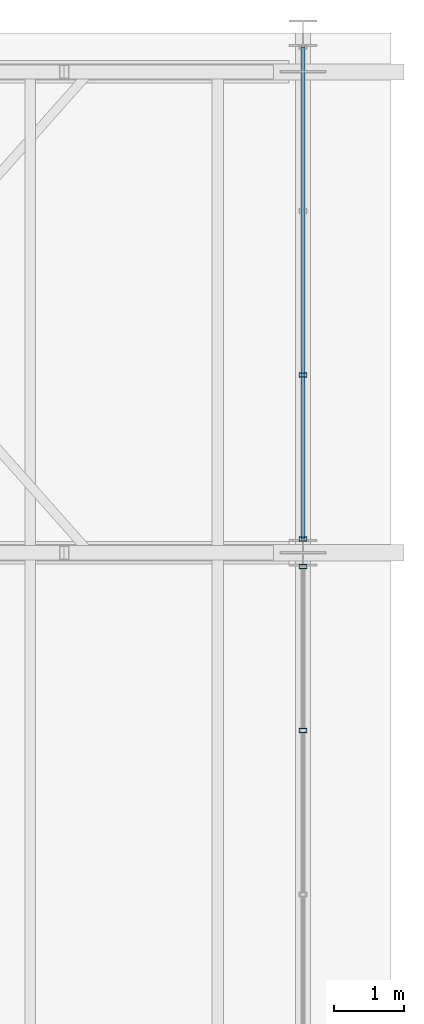
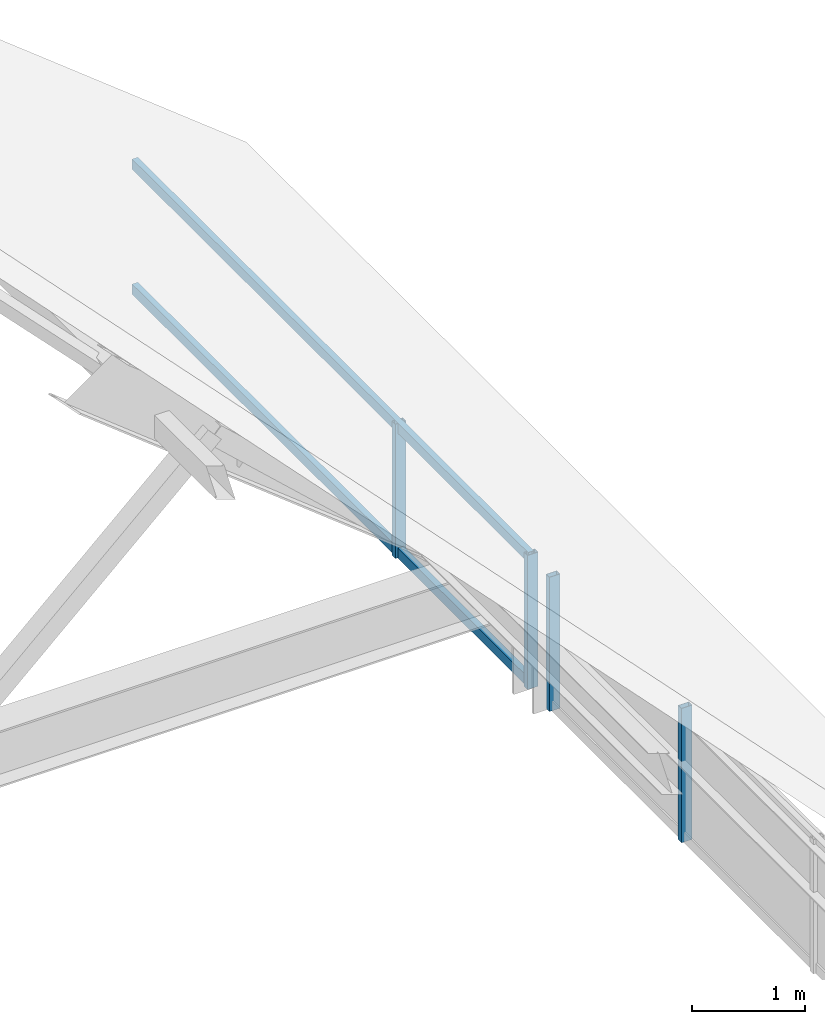
# One storey, part 38 of 44: 6 members, 2 elements without a shape of their own.
"""IFC4 building model written with IfcOpenShell, lengths in metres."""

from ifc_helpers import new_model, si_unit, direction, frame, origin, origin_2d, place, context, subcontext, project, spatial, hollow_rectangle, extrude, material, material_profile, profile_set, type_object, element, aggregate, save


model = new_model("IFC4")

# Units and contexts
model_context = context("Model", 3, precision=1e-05, world=origin(), true_north=direction((0.0, 1.0)))
body_context = subcontext(model_context, "Body", "Model", "MODEL_VIEW")
ifc_project = project(units=[si_unit("LENGTHUNIT", "METRE"), si_unit("AREAUNIT", "SQUARE_METRE"), si_unit("VOLUMEUNIT", "CUBIC_METRE"), si_unit("PLANEANGLEUNIT", "RADIAN"), si_unit("MASSUNIT", "GRAM", prefix="KILO")], contexts=[model_context])

# Site, building, storey
site_placement = place(None, origin())
site = spatial("IfcSite", under=ifc_project, at=site_placement, CompositionType="ELEMENT")
building_placement = place(site_placement, origin())
building = spatial("IfcBuilding", under=site, at=building_placement, Name="Cimatlan Art Gallery", CompositionType="ELEMENT")
storey_placement = place(building_placement, frame((0.0, 0.0, 26.39990234375)))
storey = spatial("IfcBuildingStorey", under=building, at=storey_placement, Name="Roof", CompositionType="ELEMENT", Elevation=26.39990234375)

# Curtain wall, members
ifc_material_1 = material(Name="Anodised bronze unitised curtain wall")
curtain_wall_type = type_object("IfcCurtainWallType", Name="CW-V-07010X01450-B3", PredefinedType="NOTDEFINED", material=ifc_material_1)
curtain_wall_1_placement = place(storey_placement, origin())
curtain_wall_1 = element("IfcCurtainWall", 1, at=curtain_wall_1_placement, inside=storey, type_object=curtain_wall_type, Name="CW-CRW-E-09", PredefinedType="NOTDEFINED")
ifc_material_2 = material(Name="Anodised bronze aluminium 6063-T6", Category="aluminium")
ifc_material_profile_1 = material_profile(ifc_material_2, hollow_rectangle(XDim=0.06005859375, YDim=0.110107421875, WallThickness=0.00341796875, at=origin_2d()), Name="ALU60X110X3")
ifc_profile_set_1 = profile_set([ifc_material_profile_1], Name="Anodised bronze aluminium 6063-T6")
member_type_1 = type_object("IfcMemberType", Name="CW-MUL-110", PredefinedType="MULLION", material=ifc_profile_set_1)
member_1_placement = place(storey_placement, frame((99.199951171875, 75.5048828125, 0.0), z_axis=(0.0, 0.0, 1.0), x_axis=(0.0, 1.0, 0.0)))
member_1 = element("IfcMember", 2, at=member_1_placement, type_object=member_type_1, Name="CW-CRW-E-09-M1", PredefinedType="MULLION", context=body_context, shape_type="SweptSolid", body=[
    extrude(hollow_rectangle(XDim=0.06005859375, YDim=0.110107421875, WallThickness=0.00341796875, at=origin_2d()), origin(), (0.0, 0.0, 1.0), 1.4501953125),
])
member_2_placement = place(storey_placement, frame((99.199951171875, 73.168212890625, 0.0), z_axis=(0.0, 0.0, 1.0), x_axis=(0.0, 1.0, 0.0)))
member_2 = element("IfcMember", 3, at=member_2_placement, type_object=member_type_1, Name="CW-CRW-E-09-M2", PredefinedType="MULLION", context=body_context, shape_type="SweptSolid", body=[
    extrude(hollow_rectangle(XDim=0.06005859375, YDim=0.110107421875, WallThickness=0.00341796875, at=origin_2d()), origin(), (0.0, 0.0, 1.0), 1.4501953125),
])
aggregate(curtain_wall_1, [member_1, member_2])

curtain_wall_2_placement = place(storey_placement, origin())
curtain_wall_2 = element("IfcCurtainWall", 4, at=curtain_wall_2_placement, inside=storey, type_object=curtain_wall_type, Name="CW-CRW-E-10", PredefinedType="NOTDEFINED")
member_3_placement = place(storey_placement, frame((99.199951171875, 78.231689453125, 0.0), z_axis=(0.0, 0.0, 1.0), x_axis=(0.0, 1.0, 0.0)))
member_3 = element("IfcMember", 5, at=member_3_placement, type_object=member_type_1, Name="CW-CRW-E-10-M3", PredefinedType="MULLION", context=body_context, shape_type="SweptSolid", body=[
    extrude(hollow_rectangle(XDim=0.06005859375, YDim=0.110107421875, WallThickness=0.00341796875, at=origin_2d()), origin(), (0.0, 0.0, 1.0), 1.4501953125),
])
member_4_placement = place(storey_placement, frame((99.199951171875, 75.89501953125, 0.0), z_axis=(0.0, 0.0, 1.0), x_axis=(0.0, 1.0, 0.0)))
member_4 = element("IfcMember", 6, at=member_4_placement, type_object=member_type_1, Name="CW-CRW-E-10-M4", PredefinedType="MULLION", context=body_context, shape_type="SweptSolid", body=[
    extrude(hollow_rectangle(XDim=0.06005859375, YDim=0.110107421875, WallThickness=0.00341796875, at=origin_2d()), origin(), (0.0, 0.0, 1.0), 1.4501953125),
])
ifc_material_profile_2 = material_profile(ifc_material_2, hollow_rectangle(XDim=0.06005859375, YDim=0.110107421875, WallThickness=0.00341796875, at=origin_2d()), Name="ALU60X110X3")
ifc_profile_set_2 = profile_set([ifc_material_profile_2], Name="Anodised bronze aluminium 6063-T6")
member_type_2 = type_object("IfcMemberType", Name="CW-TRN-110", PredefinedType="USERDEFINED", material=ifc_profile_set_2)
member_5_placement = place(storey_placement, frame((99.199951171875, 82.905029296875, 0.050048828125), z_axis=(0.0, -1.0, 0.0), x_axis=(1.0, 0.0, 0.0)))
member_5 = element("IfcMember", 7, at=member_5_placement, type_object=member_type_2, Name="CW-CRW-E-10-T1", ObjectType="TRANSOM", PredefinedType="USERDEFINED", context=body_context, shape_type="SweptSolid", body=[
    extrude(hollow_rectangle(XDim=0.06005859375, YDim=0.110107421875, WallThickness=0.00341796875, at=origin_2d()), origin(), (0.0, 0.0, 1.0), 7.010009765625),
])
member_6_placement = place(storey_placement, frame((99.199951171875, 82.905029296875, 1.400146484375), z_axis=(0.0, -1.0, 0.0), x_axis=(1.0, 0.0, 0.0)))
member_6 = element("IfcMember", 8, at=member_6_placement, type_object=member_type_2, Name="CW-CRW-E-10-T2", ObjectType="TRANSOM", PredefinedType="USERDEFINED", context=body_context, shape_type="SweptSolid", body=[
    extrude(hollow_rectangle(XDim=0.06005859375, YDim=0.110107421875, WallThickness=0.00341796875, at=origin_2d()), origin(), (0.0, 0.0, 1.0), 7.010009765625),
])
aggregate(curtain_wall_2, [member_3, member_4, member_5, member_6])

save(model, "model.ifc")
